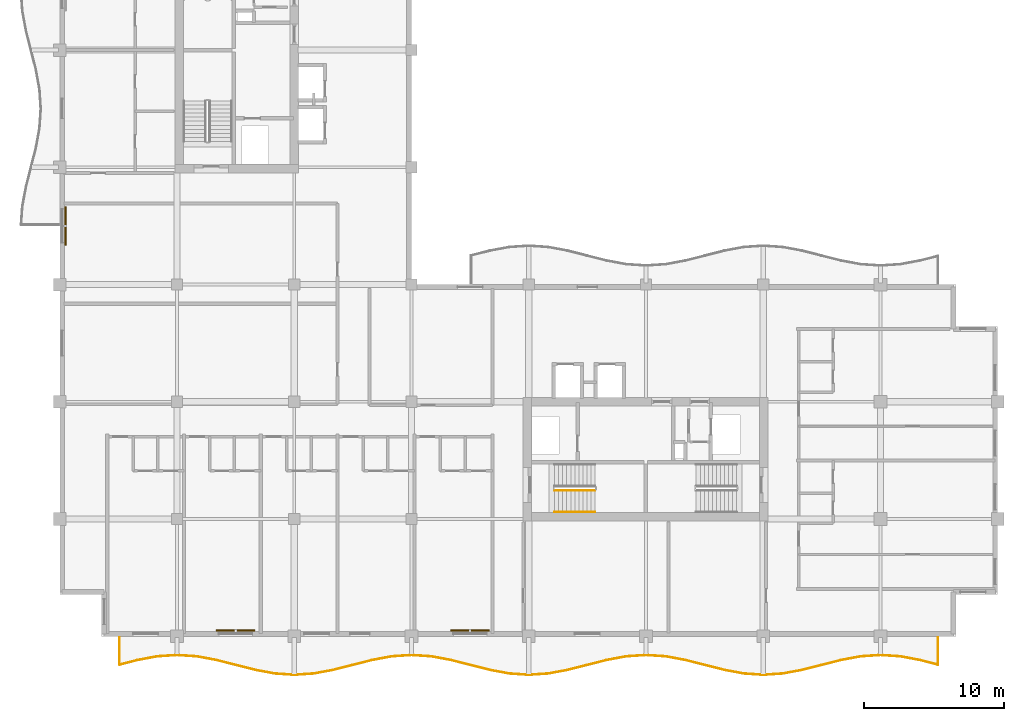
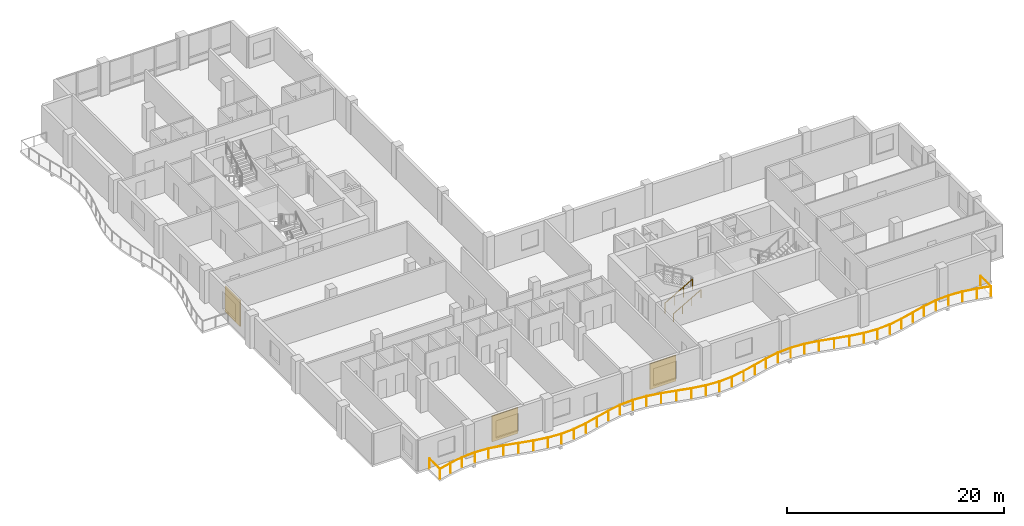
# One storey, part 13 of 15: 3 railings, 3 shading devices.
"""IFC4 building model written with IfcOpenShell, lengths in metres."""

from ifc_helpers import new_model, si_unit, direction, frame, origin, origin_2d, place, context, subcontext, project, spatial, rectangle, circle, extrude, material, layer, layer_set, type_object, element, save


model = new_model("IFC4")

# Units and contexts
model_context = context("Model", 3, precision=1e-05, world=origin(), true_north=direction((0.0, 1.0)))
body_context = subcontext(model_context, "Body", "Model", "MODEL_VIEW")
ifc_project = project(units=[si_unit("LENGTHUNIT", "METRE"), si_unit("AREAUNIT", "SQUARE_METRE"), si_unit("VOLUMEUNIT", "CUBIC_METRE"), si_unit("PLANEANGLEUNIT", "RADIAN"), si_unit("MASSUNIT", "GRAM", prefix="KILO")], contexts=[model_context])

# Site, building, storey
site_placement = place(None, origin())
site = spatial("IfcSite", under=ifc_project, at=site_placement, CompositionType="ELEMENT")
building_placement = place(site_placement, origin())
building = spatial("IfcBuilding", under=site, at=building_placement, Name="Koriwani Terraces Tower", CompositionType="ELEMENT")
storey_placement = place(building_placement, frame((0.0, 0.0, 282.300048828125)))
storey = spatial("IfcBuildingStorey", under=building, at=storey_placement, Name="L70", CompositionType="ELEMENT", Elevation=282.300048828125)

# Railings
ifc_material_1 = material(Name="Steel ASTM A572 Grade 50", Category="steel")
railing_type_1 = type_object("IfcRailingType", Name="GUARD_BALUSTRADE_1150", PredefinedType="BALUSTRADE", material=ifc_material_1)
railing_1_placement = place(storey_placement, frame((12.679931640625, 8.320068359375, 0.0)))
element("IfcRailing", 1, at=railing_1_placement, inside=storey, type_object=railing_type_1, Name="L70 Balcony Perimeter Safety Balustrade (S)", PredefinedType="BALUSTRADE", context=body_context, shape_type="SweptSolid", body=[
    extrude(circle(Radius=0.02392578125, at=origin_2d()), frame((0.0, 0.0, 1.1259765625), z_axis=(0.0, -1.0, 0.0), x_axis=(1.0, 0.0, 0.0)), (0.0, 0.0, 1.0), 1.957275390625),
    extrude(circle(Radius=0.02392578125, at=origin_2d()), frame((0.0, -1.957275390625, 1.1259765625), z_axis=(0.969335916043, 0.245739459323, 0.0), x_axis=(-0.245739459323, 0.969335916043, 0.0)), (0.0, 0.0, 1.0), 1.34423828125),
    extrude(circle(Radius=0.02392578125, at=origin_2d()), frame((1.302978515625, -1.626953125, 1.1259765625), z_axis=(0.983227655562, 0.182382502828, 0.0), x_axis=(-0.182382502828, 0.983227655562, 0.0)), (0.0, 0.0, 1.0), 1.430908203125),
    extrude(circle(Radius=0.02392578125, at=origin_2d()), frame((2.7099609375, -1.365966796875, 1.1259765625), z_axis=(0.997704957786, 0.067711278299, 0.0), x_axis=(-0.067711278299, 0.997704957786, 0.0)), (0.0, 0.0, 1.0), 1.413330078125),
    extrude(circle(Radius=0.02392578125, at=origin_2d()), frame((4.1201171875, -1.270263671875, 1.1259765625), z_axis=(0.997704165633, -0.067722949425, 0.0), x_axis=(0.067722949425, 0.997704165633, 0.0)), (0.0, 0.0, 1.0), 1.4130859375),
    extrude(circle(Radius=0.02392578125, at=origin_2d()), frame((5.530029296875, -1.365966796875, 1.1259765625), z_axis=(0.983233329212, -0.182351913416, 0.0), x_axis=(0.182351913416, 0.983233329212, 0.0)), (0.0, 0.0, 1.0), 1.43115234375),
    extrude(circle(Radius=0.02392578125, at=origin_2d()), frame((6.937255859375, -1.626953125, 1.1259765625), z_axis=(0.969326714928, -0.245775750895, 0.0), x_axis=(0.245775750895, 0.969326714928, 0.0)), (0.0, 0.0, 1.0), 2.888671875),
    extrude(circle(Radius=0.02392578125, at=origin_2d()), frame((9.7373046875, -2.3369140625, 1.1259765625), z_axis=(0.98320420208, -0.182508895706, 0.0), x_axis=(0.182508895706, 0.98320420208, 0.0)), (0.0, 0.0, 1.0), 1.41650390625),
    extrude(circle(Radius=0.02392578125, at=origin_2d()), frame((11.130126953125, -2.595458984375, 1.1259765625), z_axis=(0.997697457915, -0.067821696155, 0.0), x_axis=(0.067821696155, 0.997697457915, 0.0)), (0.0, 0.0, 1.0), 1.39306640625),
    extrude(circle(Radius=0.02392578125, at=origin_2d()), frame((12.52001953125, -2.68994140625, 1.1259765625), z_axis=(0.997698263815, 0.067809839848, 0.0), x_axis=(-0.067809839848, 0.997698263815, 0.0)), (0.0, 0.0, 1.0), 1.393310546875),
    extrude(circle(Radius=0.02392578125, at=origin_2d()), frame((13.91015625, -2.595458984375, 1.1259765625), z_axis=(0.98320420208, 0.182508895706, 0.0), x_axis=(-0.182508895706, 0.98320420208, 0.0)), (0.0, 0.0, 1.0), 1.41650390625),
    extrude(circle(Radius=0.02392578125, at=origin_2d()), frame((15.302978515625, -2.3369140625, 1.1259765625), z_axis=(0.969326714928, 0.245775750895, 0.0), x_axis=(-0.245775750895, 0.969326714928, 0.0)), (0.0, 0.0, 1.0), 2.888671875),
    extrude(circle(Radius=0.02392578125, at=origin_2d()), frame((18.10302734375, -1.626953125, 1.1259765625), z_axis=(0.983227655562, 0.182382502828, 0.0), x_axis=(-0.182382502828, 0.983227655562, 0.0)), (0.0, 0.0, 1.0), 1.430908203125),
    extrude(circle(Radius=0.02392578125, at=origin_2d()), frame((19.510009765625, -1.365966796875, 1.1259765625), z_axis=(0.997704957786, 0.067711278299, 0.0), x_axis=(-0.067711278299, 0.997704957786, 0.0)), (0.0, 0.0, 1.0), 1.413330078125),
    extrude(circle(Radius=0.02392578125, at=origin_2d()), frame((20.920166015625, -1.270263671875, 1.1259765625), z_axis=(0.997704165633, -0.067722949425, 0.0), x_axis=(0.067722949425, 0.997704165633, 0.0)), (0.0, 0.0, 1.0), 1.4130859375),
    extrude(circle(Radius=0.02392578125, at=origin_2d()), frame((22.330078125, -1.365966796875, 1.1259765625), z_axis=(0.983227655562, -0.182382502828, 0.0), x_axis=(0.182382502828, 0.983227655562, 0.0)), (0.0, 0.0, 1.0), 1.430908203125),
    extrude(circle(Radius=0.02392578125, at=origin_2d()), frame((23.737060546875, -1.626953125, 1.1259765625), z_axis=(0.969331819617, -0.245755617389, 0.0), x_axis=(0.245755617389, 0.969331819617, 0.0)), (0.0, 0.0, 1.0), 2.888916015625),
    extrude(circle(Radius=0.02392578125, at=origin_2d()), frame((26.537353515625, -2.3369140625, 1.1259765625), z_axis=(0.98320420208, -0.182508895706, 0.0), x_axis=(0.182508895706, 0.98320420208, 0.0)), (0.0, 0.0, 1.0), 1.41650390625),
    extrude(circle(Radius=0.02392578125, at=origin_2d()), frame((27.93017578125, -2.595458984375, 1.1259765625), z_axis=(0.997697457915, -0.067821696155, 0.0), x_axis=(0.067821696155, 0.997697457915, 0.0)), (0.0, 0.0, 1.0), 1.39306640625),
    extrude(circle(Radius=0.02392578125, at=origin_2d()), frame((29.320068359375, -2.68994140625, 1.1259765625), z_axis=(0.997697457915, 0.067821696155, 0.0), x_axis=(-0.067821696155, 0.997697457915, 0.0)), (0.0, 0.0, 1.0), 1.39306640625),
    extrude(circle(Radius=0.02392578125, at=origin_2d()), frame((30.7099609375, -2.595458984375, 1.1259765625), z_axis=(0.98320420208, 0.182508895706, 0.0), x_axis=(-0.182508895706, 0.98320420208, 0.0)), (0.0, 0.0, 1.0), 1.41650390625),
    extrude(circle(Radius=0.02392578125, at=origin_2d()), frame((32.102783203125, -2.3369140625, 1.1259765625), z_axis=(0.969331819617, 0.245755617389, 0.0), x_axis=(-0.245755617389, 0.969331819617, 0.0)), (0.0, 0.0, 1.0), 2.888916015625),
    extrude(circle(Radius=0.02392578125, at=origin_2d()), frame((34.903076171875, -1.626953125, 1.1259765625), z_axis=(0.983227655562, 0.182382502828, 0.0), x_axis=(-0.182382502828, 0.983227655562, 0.0)), (0.0, 0.0, 1.0), 1.430908203125),
    extrude(circle(Radius=0.02392578125, at=origin_2d()), frame((36.31005859375, -1.365966796875, 1.1259765625), z_axis=(0.997704165633, 0.067722949425, 0.0), x_axis=(-0.067722949425, 0.997704165633, 0.0)), (0.0, 0.0, 1.0), 1.4130859375),
    extrude(circle(Radius=0.02392578125, at=origin_2d()), frame((37.719970703125, -1.270263671875, 1.1259765625), z_axis=(0.997704957786, -0.067711278299, 0.0), x_axis=(0.067711278299, 0.997704957786, 0.0)), (0.0, 0.0, 1.0), 1.413330078125),
    extrude(circle(Radius=0.02392578125, at=origin_2d()), frame((39.130126953125, -1.365966796875, 1.1259765625), z_axis=(0.983227655562, -0.182382502828, 0.0), x_axis=(0.182382502828, 0.983227655562, 0.0)), (0.0, 0.0, 1.0), 1.430908203125),
    extrude(circle(Radius=0.02392578125, at=origin_2d()), frame((40.537109375, -1.626953125, 1.1259765625), z_axis=(0.969326714928, -0.245775750895, 0.0), x_axis=(0.245775750895, 0.969326714928, 0.0)), (0.0, 0.0, 1.0), 2.888671875),
    extrude(circle(Radius=0.02392578125, at=origin_2d()), frame((43.337158203125, -2.3369140625, 1.1259765625), z_axis=(0.98320420208, -0.182508895706, 0.0), x_axis=(0.182508895706, 0.98320420208, 0.0)), (0.0, 0.0, 1.0), 1.41650390625),
    extrude(circle(Radius=0.02392578125, at=origin_2d()), frame((44.72998046875, -2.595458984375, 1.1259765625), z_axis=(0.997698263815, -0.067809839848, 0.0), x_axis=(0.067809839848, 0.997698263815, 0.0)), (0.0, 0.0, 1.0), 1.393310546875),
    extrude(circle(Radius=0.02392578125, at=origin_2d()), frame((46.1201171875, -2.68994140625, 1.1259765625), z_axis=(0.997697457915, 0.067821696155, 0.0), x_axis=(-0.067821696155, 0.997697457915, 0.0)), (0.0, 0.0, 1.0), 1.39306640625),
    extrude(circle(Radius=0.02392578125, at=origin_2d()), frame((47.510009765625, -2.595458984375, 1.1259765625), z_axis=(0.98320420208, 0.182508895706, 0.0), x_axis=(-0.182508895706, 0.98320420208, 0.0)), (0.0, 0.0, 1.0), 1.41650390625),
    extrude(circle(Radius=0.02392578125, at=origin_2d()), frame((48.90283203125, -2.3369140625, 1.1259765625), z_axis=(0.969326714928, 0.245775750895, 0.0), x_axis=(-0.245775750895, 0.969326714928, 0.0)), (0.0, 0.0, 1.0), 2.888671875),
    extrude(circle(Radius=0.02392578125, at=origin_2d()), frame((51.702880859375, -1.626953125, 1.1259765625), z_axis=(0.983233329212, 0.182351913416, 0.0), x_axis=(-0.182351913416, 0.983233329212, 0.0)), (0.0, 0.0, 1.0), 1.43115234375),
    extrude(circle(Radius=0.02392578125, at=origin_2d()), frame((53.110107421875, -1.365966796875, 1.1259765625), z_axis=(0.997704165633, 0.067722949425, 0.0), x_axis=(-0.067722949425, 0.997704165633, 0.0)), (0.0, 0.0, 1.0), 1.4130859375),
    extrude(circle(Radius=0.02392578125, at=origin_2d()), frame((54.52001953125, -1.270263671875, 1.1259765625), z_axis=(0.997704957786, -0.067711278299, 0.0), x_axis=(0.067711278299, 0.997704957786, 0.0)), (0.0, 0.0, 1.0), 1.413330078125),
    extrude(circle(Radius=0.02392578125, at=origin_2d()), frame((55.93017578125, -1.365966796875, 1.1259765625), z_axis=(0.983227655562, -0.182382502828, 0.0), x_axis=(0.182382502828, 0.983227655562, 0.0)), (0.0, 0.0, 1.0), 1.430908203125),
    extrude(circle(Radius=0.02392578125, at=origin_2d()), frame((57.337158203125, -1.626953125, 1.1259765625), z_axis=(0.969335916043, -0.245739459323, 0.0), x_axis=(0.245739459323, 0.969335916043, 0.0)), (0.0, 0.0, 1.0), 1.34423828125),
    extrude(circle(Radius=0.02392578125, at=origin_2d()), frame((58.64013671875, -1.957275390625, 1.1259765625), z_axis=(0.0, 1.0, 0.0), x_axis=(-1.0, 0.0, 0.0)), (0.0, 0.0, 1.0), 1.957275390625),
    extrude(circle(Radius=0.02099609375, at=origin_2d()), origin(), (0.0, 0.0, 1.0), 1.101806640625),
    extrude(circle(Radius=0.02099609375, at=origin_2d()), frame((0.0, -1.957275390625, 0.0)), (0.0, 0.0, 1.0), 1.101806640625),
    extrude(circle(Radius=0.02099609375, at=origin_2d()), frame((1.302978515625, -1.626953125, 0.0)), (0.0, 0.0, 1.0), 1.101806640625),
    extrude(circle(Radius=0.02099609375, at=origin_2d()), frame((2.7099609375, -1.365966796875, 0.0)), (0.0, 0.0, 1.0), 1.101806640625),
    extrude(circle(Radius=0.02099609375, at=origin_2d()), frame((4.1201171875, -1.270263671875, 0.0)), (0.0, 0.0, 1.0), 1.101806640625),
    extrude(circle(Radius=0.02099609375, at=origin_2d()), frame((5.530029296875, -1.365966796875, 0.0)), (0.0, 0.0, 1.0), 1.101806640625),
    extrude(circle(Radius=0.02099609375, at=origin_2d()), frame((6.937255859375, -1.626953125, 0.0)), (0.0, 0.0, 1.0), 1.101806640625),
    extrude(circle(Radius=0.02099609375, at=origin_2d()), frame((8.33740234375, -1.98193359375, 0.0)), (0.0, 0.0, 1.0), 1.101806640625),
    extrude(circle(Radius=0.02099609375, at=origin_2d()), frame((9.7373046875, -2.3369140625, 0.0)), (0.0, 0.0, 1.0), 1.101806640625),
    extrude(circle(Radius=0.02099609375, at=origin_2d()), frame((11.130126953125, -2.595458984375, 0.0)), (0.0, 0.0, 1.0), 1.101806640625),
    extrude(circle(Radius=0.02099609375, at=origin_2d()), frame((12.52001953125, -2.68994140625, 0.0)), (0.0, 0.0, 1.0), 1.101806640625),
    extrude(circle(Radius=0.02099609375, at=origin_2d()), frame((13.91015625, -2.595458984375, 0.0)), (0.0, 0.0, 1.0), 1.101806640625),
    extrude(circle(Radius=0.02099609375, at=origin_2d()), frame((15.302978515625, -2.3369140625, 0.0)), (0.0, 0.0, 1.0), 1.101806640625),
    extrude(circle(Radius=0.02099609375, at=origin_2d()), frame((16.703125, -1.98193359375, 0.0)), (0.0, 0.0, 1.0), 1.101806640625),
    extrude(circle(Radius=0.02099609375, at=origin_2d()), frame((18.10302734375, -1.626953125, 0.0)), (0.0, 0.0, 1.0), 1.101806640625),
    extrude(circle(Radius=0.02099609375, at=origin_2d()), frame((19.510009765625, -1.365966796875, 0.0)), (0.0, 0.0, 1.0), 1.101806640625),
    extrude(circle(Radius=0.02099609375, at=origin_2d()), frame((20.920166015625, -1.270263671875, 0.0)), (0.0, 0.0, 1.0), 1.101806640625),
    extrude(circle(Radius=0.02099609375, at=origin_2d()), frame((22.330078125, -1.365966796875, 0.0)), (0.0, 0.0, 1.0), 1.101806640625),
    extrude(circle(Radius=0.02099609375, at=origin_2d()), frame((23.737060546875, -1.626953125, 0.0)), (0.0, 0.0, 1.0), 1.101806640625),
    extrude(circle(Radius=0.02099609375, at=origin_2d()), frame((25.13720703125, -1.98193359375, 0.0)), (0.0, 0.0, 1.0), 1.101806640625),
    extrude(circle(Radius=0.02099609375, at=origin_2d()), frame((26.537353515625, -2.3369140625, 0.0)), (0.0, 0.0, 1.0), 1.101806640625),
    extrude(circle(Radius=0.02099609375, at=origin_2d()), frame((27.93017578125, -2.595458984375, 0.0)), (0.0, 0.0, 1.0), 1.101806640625),
    extrude(circle(Radius=0.02099609375, at=origin_2d()), frame((29.320068359375, -2.68994140625, 0.0)), (0.0, 0.0, 1.0), 1.101806640625),
    extrude(circle(Radius=0.02099609375, at=origin_2d()), frame((30.7099609375, -2.595458984375, 0.0)), (0.0, 0.0, 1.0), 1.101806640625),
    extrude(circle(Radius=0.02099609375, at=origin_2d()), frame((32.102783203125, -2.3369140625, 0.0)), (0.0, 0.0, 1.0), 1.101806640625),
    extrude(circle(Radius=0.02099609375, at=origin_2d()), frame((33.5029296875, -1.98193359375, 0.0)), (0.0, 0.0, 1.0), 1.101806640625),
    extrude(circle(Radius=0.02099609375, at=origin_2d()), frame((34.903076171875, -1.626953125, 0.0)), (0.0, 0.0, 1.0), 1.101806640625),
    extrude(circle(Radius=0.02099609375, at=origin_2d()), frame((36.31005859375, -1.365966796875, 0.0)), (0.0, 0.0, 1.0), 1.101806640625),
    extrude(circle(Radius=0.02099609375, at=origin_2d()), frame((37.719970703125, -1.270263671875, 0.0)), (0.0, 0.0, 1.0), 1.101806640625),
    extrude(circle(Radius=0.02099609375, at=origin_2d()), frame((39.130126953125, -1.365966796875, 0.0)), (0.0, 0.0, 1.0), 1.101806640625),
    extrude(circle(Radius=0.02099609375, at=origin_2d()), frame((40.537109375, -1.626953125, 0.0)), (0.0, 0.0, 1.0), 1.101806640625),
    extrude(circle(Radius=0.02099609375, at=origin_2d()), frame((41.93701171875, -1.98193359375, 0.0)), (0.0, 0.0, 1.0), 1.101806640625),
    extrude(circle(Radius=0.02099609375, at=origin_2d()), frame((43.337158203125, -2.3369140625, 0.0)), (0.0, 0.0, 1.0), 1.101806640625),
    extrude(circle(Radius=0.02099609375, at=origin_2d()), frame((44.72998046875, -2.595458984375, 0.0)), (0.0, 0.0, 1.0), 1.101806640625),
    extrude(circle(Radius=0.02099609375, at=origin_2d()), frame((46.1201171875, -2.68994140625, 0.0)), (0.0, 0.0, 1.0), 1.101806640625),
    extrude(circle(Radius=0.02099609375, at=origin_2d()), frame((47.510009765625, -2.595458984375, 0.0)), (0.0, 0.0, 1.0), 1.101806640625),
    extrude(circle(Radius=0.02099609375, at=origin_2d()), frame((48.90283203125, -2.3369140625, 0.0)), (0.0, 0.0, 1.0), 1.101806640625),
    extrude(circle(Radius=0.02099609375, at=origin_2d()), frame((50.302734375, -1.98193359375, 0.0)), (0.0, 0.0, 1.0), 1.101806640625),
    extrude(circle(Radius=0.02099609375, at=origin_2d()), frame((51.702880859375, -1.626953125, 0.0)), (0.0, 0.0, 1.0), 1.101806640625),
    extrude(circle(Radius=0.02099609375, at=origin_2d()), frame((53.110107421875, -1.365966796875, 0.0)), (0.0, 0.0, 1.0), 1.101806640625),
    extrude(circle(Radius=0.02099609375, at=origin_2d()), frame((54.52001953125, -1.270263671875, 0.0)), (0.0, 0.0, 1.0), 1.101806640625),
    extrude(circle(Radius=0.02099609375, at=origin_2d()), frame((55.93017578125, -1.365966796875, 0.0)), (0.0, 0.0, 1.0), 1.101806640625),
    extrude(circle(Radius=0.02099609375, at=origin_2d()), frame((57.337158203125, -1.626953125, 0.0)), (0.0, 0.0, 1.0), 1.101806640625),
    extrude(circle(Radius=0.02099609375, at=origin_2d()), frame((58.64013671875, -1.957275390625, 0.0)), (0.0, 0.0, 1.0), 1.101806640625),
    extrude(circle(Radius=0.02099609375, at=origin_2d()), frame((58.64013671875, 0.0, 0.0)), (0.0, 0.0, 1.0), 1.101806640625),
])
railing_type_2 = type_object("IfcRailingType", Name="GUARD_STAIR_WELL_1120", PredefinedType="GUARDRAIL", material=ifc_material_1)
railing_2_placement = place(storey_placement, frame((43.85009765625, 18.85009765625, 0.168212890625)))
element("IfcRailing", 2, at=railing_2_placement, inside=storey, type_object=railing_type_2, Name="L70 ST-E1 stair guard 1", PredefinedType="GUARDRAIL", context=body_context, shape_type="SweptSolid", body=[
    extrude(circle(Radius=0.02392578125, at=origin_2d()), frame((0.0, 0.0, 1.1259765625), z_axis=(0.86507038078, 0.0, 0.501650512107), x_axis=(0.0, 1.0, 0.0)), (0.0, 0.0, 1.0), 3.352294921875),
    extrude(circle(Radius=0.02099609375, at=origin_2d()), origin(), (0.0, 0.0, 1.0), 1.101806640625),
    extrude(circle(Radius=0.02099609375, at=origin_2d()), frame((0.966552734375, 0.0, 0.560546875)), (0.0, 0.0, 1.0), 1.101806640625),
    extrude(circle(Radius=0.02099609375, at=origin_2d()), frame((1.933349609375, 0.0, 1.12109375)), (0.0, 0.0, 1.0), 1.101806640625),
    extrude(circle(Radius=0.02099609375, at=origin_2d()), frame((2.89990234375, 0.0, 1.681640625)), (0.0, 0.0, 1.0), 1.101806640625),
])
railing_type_3 = type_object("IfcRailingType", Name="HANDRAIL_STAIR_920", PredefinedType="HANDRAIL", material=ifc_material_1)
railing_3_placement = place(storey_placement, frame((43.85009765625, 17.300048828125, 0.168212890625)))
element("IfcRailing", 3, at=railing_3_placement, inside=storey, type_object=railing_type_3, Name="L70 ST-E1 stair handrail 1", PredefinedType="HANDRAIL", context=body_context, shape_type="SweptSolid", body=[
    extrude(circle(Radius=0.02392578125, at=origin_2d()), frame((0.0, 0.0, 0.8759765625), z_axis=(0.86507038078, 0.0, 0.501650512107), x_axis=(0.0, 1.0, 0.0)), (0.0, 0.0, 1.0), 3.352294921875),
    extrude(circle(Radius=0.02099609375, at=origin_2d()), origin(), (0.0, 0.0, 1.0), 0.851806640625),
    extrude(circle(Radius=0.02099609375, at=origin_2d()), frame((0.966552734375, 0.0, 0.560546875)), (0.0, 0.0, 1.0), 0.851806640625),
    extrude(circle(Radius=0.02099609375, at=origin_2d()), frame((1.933349609375, 0.0, 1.12109375)), (0.0, 0.0, 1.0), 0.851806640625),
    extrude(circle(Radius=0.02099609375, at=origin_2d()), frame((2.89990234375, 0.0, 1.681640625)), (0.0, 0.0, 1.0), 0.851806640625),
])

# Shading devices
ifc_material_2 = material(Name="Extruded Terracotta Clay", Category="masonry")
ifc_layer = layer(ifc_material_2, 0.1201171875, Name="Extruded Terracotta Clay")
ifc_layer_set = layer_set([ifc_layer], Name="Extruded Terracotta Clay")
shading_device_type = type_object("IfcShadingDeviceType", Name="TERRACOTTA_BAGUETTE_SCREEN_2800", PredefinedType="USERDEFINED", material=ifc_layer_set)
for number, where, z_axis, x_axis, name in (
    (4, (8.804931640625, 37.800048828125, 0.284912109375), (0.0, 0.0, 1.0), (0.0, 1.0, 0.0), "L70 Extruded Terracotta Baguette Screen (W-9)"),
    (5, (21.0, 8.804931640625, 0.284912109375), (0.0, 0.0, 1.0), (-1.0, 0.0, 0.0), "L70 Extruded Terracotta Baguette Screen (S-3)"),
    (6, (37.800048828125, 8.804931640625, 0.284912109375), (0.0, 0.0, 1.0), (-1.0, 0.0, 0.0), "L70 Extruded Terracotta Baguette Screen (S-9)"),
):
    element("IfcShadingDevice", number, at=place(storey_placement, frame(where, z_axis=z_axis, x_axis=x_axis)), inside=storey, type_object=shading_device_type, Name=name, ObjectType="BAGUETTE", PredefinedType="USERDEFINED", context=body_context, shape_type="SweptSolid", body=[
        extrude(rectangle(XDim=2.760009765625, YDim=0.1201171875, at=origin_2d()), origin(), (0.0, 0.0, 1.0), 2.89990234375),
    ])

save(model, "model.ifc")
